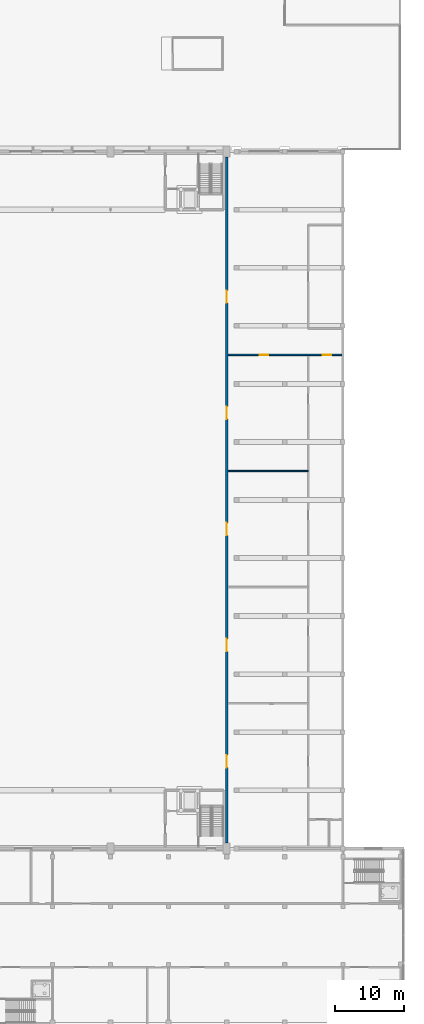
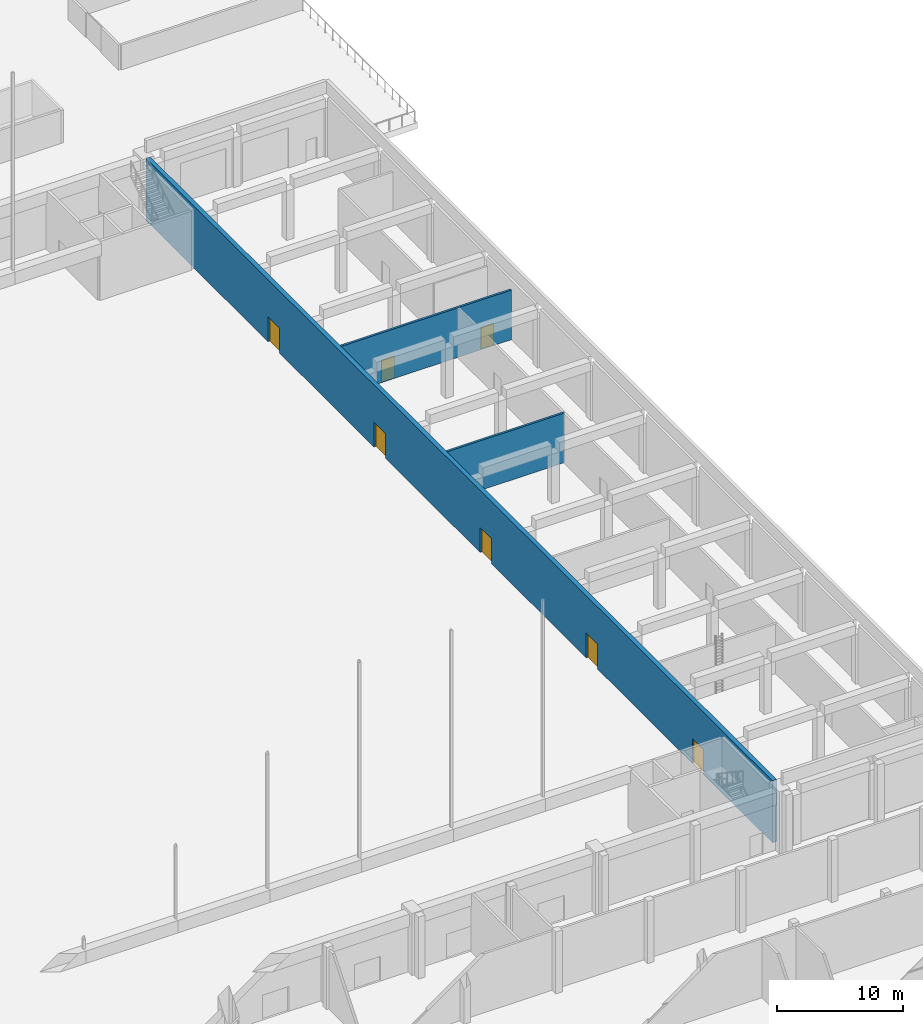
# One storey, part 118 of 210: 7 doors, 3 walls, 7 openings.
"""IFC4 building model written with IfcOpenShell, lengths in metres."""

from ifc_helpers import new_model, si_unit, direction, frame, frame_2d, origin, place, context, subcontext, project, spatial, rectangle, extrude, material, layer, layer_set, type_object, element, fill, save


model = new_model("IFC4")

# Units and contexts
model_context = context("Model", 3, precision=1e-05, world=origin(), true_north=direction((0.0, 1.0)))
body_context = subcontext(model_context, "Body", "Model", "MODEL_VIEW")
ifc_project = project(units=[si_unit("LENGTHUNIT", "METRE"), si_unit("AREAUNIT", "SQUARE_METRE"), si_unit("VOLUMEUNIT", "CUBIC_METRE"), si_unit("PLANEANGLEUNIT", "RADIAN"), si_unit("MASSUNIT", "GRAM", prefix="KILO")], contexts=[model_context])

# Site, building, storey
site_placement = place(None, origin())
site = spatial("IfcSite", under=ifc_project, at=site_placement, CompositionType="ELEMENT")
building_placement = place(site_placement, origin())
building = spatial("IfcBuilding", under=site, at=building_placement, Name="Rain Tree Exposition and Congress Centre", CompositionType="ELEMENT")
storey_placement = place(building_placement, origin())
storey = spatial("IfcBuildingStorey", under=building, at=storey_placement, Name="L00", CompositionType="ELEMENT", Elevation=0.0)

# Wall, openings, doors
ifc_material_1 = material(Name="Precast concrete C50/60", Category="concrete")
ifc_layer_1 = layer(ifc_material_1, 0.39990234375)
ifc_layer_set_1 = layer_set([ifc_layer_1], Name="Precast concrete C50/60")
wall_type_1 = type_object("IfcWallType", Name="Hall gable precast wall 400", PredefinedType="SHEAR", material=ifc_layer_set_1)
wall_1_placement = place(storey_placement, frame((243.60009765625, 101.60009765625, 0.0), z_axis=(0.0, 0.0, 1.0), x_axis=(0.0, 1.0, 0.0)))
wall_1 = element("IfcWall", 1, at=wall_1_placement, inside=storey, type_object=wall_type_1, Name="Gable wall E", PredefinedType="SHEAR", context=body_context, shape_type="SweptSolid", body=[
    extrude(rectangle(XDim=99.199951171875, YDim=0.39990234375, at=frame_2d((49.60009765625, 0.0))), origin(), (0.0, 0.0, 1.0), 6.0),
])
opening_1_placement = place(wall_1_placement, frame((10.89990234375, 0.0, 0.0)))
opening_1 = element("IfcOpeningElement", 2, at=opening_1_placement, cuts=wall_1, Name="Opening DH166", PredefinedType="OPENING", context=body_context, shape_type="SweptSolid", body=[
    extrude(rectangle(XDim=1.800048828125, YDim=2.39990234375, at=frame_2d((0.89990234375, 1.199951171875))), frame((0.0, 0.199951171875, 0.0), z_axis=(0.0, -1.0, 0.0), x_axis=(1.0, 0.0, 0.0)), (0.0, 0.0, 1.0), 0.39990234375),
])
opening_2_placement = place(wall_1_placement, frame((27.699951171875, 0.0, 0.0)))
opening_2 = element("IfcOpeningElement", 3, at=opening_2_placement, cuts=wall_1, Name="Opening DH167", PredefinedType="OPENING", context=body_context, shape_type="SweptSolid", body=[
    extrude(rectangle(XDim=1.800048828125, YDim=2.39990234375, at=frame_2d((0.89990234375, 1.199951171875))), frame((0.0, 0.199951171875, 0.0), z_axis=(0.0, -1.0, 0.0), x_axis=(1.0, 0.0, 0.0)), (0.0, 0.0, 1.0), 0.39990234375),
])
opening_3_placement = place(wall_1_placement, frame((44.5, 0.0, 0.0)))
opening_3 = element("IfcOpeningElement", 4, at=opening_3_placement, cuts=wall_1, Name="Opening DH168", PredefinedType="OPENING", context=body_context, shape_type="SweptSolid", body=[
    extrude(rectangle(XDim=1.800048828125, YDim=2.39990234375, at=frame_2d((0.89990234375, 1.199951171875))), frame((0.0, 0.199951171875, 0.0), z_axis=(0.0, -1.0, 0.0), x_axis=(1.0, 0.0, 0.0)), (0.0, 0.0, 1.0), 0.39990234375),
])
opening_4_placement = place(wall_1_placement, frame((61.300048828125, 0.0, 0.0)))
opening_4 = element("IfcOpeningElement", 5, at=opening_4_placement, cuts=wall_1, Name="Opening DH169", PredefinedType="OPENING", context=body_context, shape_type="SweptSolid", body=[
    extrude(rectangle(XDim=1.800048828125, YDim=2.39990234375, at=frame_2d((0.89990234375, 1.199951171875))), frame((0.0, 0.199951171875, 0.0), z_axis=(0.0, -1.0, 0.0), x_axis=(1.0, 0.0, 0.0)), (0.0, 0.0, 1.0), 0.39990234375),
])
opening_5_placement = place(wall_1_placement, frame((78.10009765625, 0.0, 0.0)))
opening_5 = element("IfcOpeningElement", 6, at=opening_5_placement, cuts=wall_1, Name="Opening DH170", PredefinedType="OPENING", context=body_context, shape_type="SweptSolid", body=[
    extrude(rectangle(XDim=1.800048828125, YDim=2.39990234375, at=frame_2d((0.89990234375, 1.199951171875))), frame((0.0, 0.199951171875, 0.0), z_axis=(0.0, -1.0, 0.0), x_axis=(1.0, 0.0, 0.0)), (0.0, 0.0, 1.0), 0.39990234375),
])
ifc_material_2 = material(Name="Painted steel fire door", Category="steel")
door_type_1 = type_object("IfcDoorType", Name="Store fire door pair 1800x2400", OperationType="DOUBLE_DOOR_SINGLE_SWING", PredefinedType="DOOR", material=ifc_material_2)
door_1_placement = place(opening_1_placement, origin())
door_1 = element("IfcDoor", 7, at=door_1_placement, inside=storey, type_object=door_type_1, Name="Door DH166", OperationType="DOUBLE_DOOR_SINGLE_SWING", OverallHeight=2.39990234375, OverallWidth=1.800048828125, PredefinedType="DOOR", context=body_context, shape_type="SweptSolid", body=[
    extrude(rectangle(XDim=1.800048828125, YDim=2.39990234375, at=frame_2d((0.89990234375, 1.199951171875))), frame((0.0, 0.02490234375, 0.0), z_axis=(0.0, -1.0, 0.0), x_axis=(1.0, 0.0, 0.0)), (0.0, 0.0, 1.0), 0.050048828125),
])
fill(opening_1, door_1)
door_2_placement = place(opening_2_placement, origin())
door_2 = element("IfcDoor", 8, at=door_2_placement, inside=storey, type_object=door_type_1, Name="Door DH167", OperationType="DOUBLE_DOOR_SINGLE_SWING", OverallHeight=2.39990234375, OverallWidth=1.800048828125, PredefinedType="DOOR", context=body_context, shape_type="SweptSolid", body=[
    extrude(rectangle(XDim=1.800048828125, YDim=2.39990234375, at=frame_2d((0.89990234375, 1.199951171875))), frame((0.0, 0.02490234375, 0.0), z_axis=(0.0, -1.0, 0.0), x_axis=(1.0, 0.0, 0.0)), (0.0, 0.0, 1.0), 0.050048828125),
])
fill(opening_2, door_2)
door_3_placement = place(opening_3_placement, origin())
door_3 = element("IfcDoor", 9, at=door_3_placement, inside=storey, type_object=door_type_1, Name="Door DH168", OperationType="DOUBLE_DOOR_SINGLE_SWING", OverallHeight=2.39990234375, OverallWidth=1.800048828125, PredefinedType="DOOR", context=body_context, shape_type="SweptSolid", body=[
    extrude(rectangle(XDim=1.800048828125, YDim=2.39990234375, at=frame_2d((0.89990234375, 1.199951171875))), frame((0.0, 0.02490234375, 0.0), z_axis=(0.0, -1.0, 0.0), x_axis=(1.0, 0.0, 0.0)), (0.0, 0.0, 1.0), 0.050048828125),
])
fill(opening_3, door_3)
door_4_placement = place(opening_4_placement, origin())
door_4 = element("IfcDoor", 10, at=door_4_placement, inside=storey, type_object=door_type_1, Name="Door DH169", OperationType="DOUBLE_DOOR_SINGLE_SWING", OverallHeight=2.39990234375, OverallWidth=1.800048828125, PredefinedType="DOOR", context=body_context, shape_type="SweptSolid", body=[
    extrude(rectangle(XDim=1.800048828125, YDim=2.39990234375, at=frame_2d((0.89990234375, 1.199951171875))), frame((0.0, 0.02490234375, 0.0), z_axis=(0.0, -1.0, 0.0), x_axis=(1.0, 0.0, 0.0)), (0.0, 0.0, 1.0), 0.050048828125),
])
fill(opening_4, door_4)
door_5_placement = place(opening_5_placement, origin())
door_5 = element("IfcDoor", 11, at=door_5_placement, inside=storey, type_object=door_type_1, Name="Door DH170", OperationType="DOUBLE_DOOR_SINGLE_SWING", OverallHeight=2.39990234375, OverallWidth=1.800048828125, PredefinedType="DOOR", context=body_context, shape_type="SweptSolid", body=[
    extrude(rectangle(XDim=1.800048828125, YDim=2.39990234375, at=frame_2d((0.89990234375, 1.199951171875))), frame((0.0, 0.02490234375, 0.0), z_axis=(0.0, -1.0, 0.0), x_axis=(1.0, 0.0, 0.0)), (0.0, 0.0, 1.0), 0.050048828125),
])
fill(opening_5, door_5)

# Wall
ifc_material_3 = material(Name="Concrete C40/50", Category="concrete")
ifc_layer_2 = layer(ifc_material_3, 0.199951171875)
ifc_layer_set_2 = layer_set([ifc_layer_2], Name="Concrete C40/50")
wall_type_2 = type_object("IfcWallType", Name="Service partition wall 200", PredefinedType="PARTITIONING", material=ifc_layer_set_2)
wall_2_placement = place(storey_placement, frame((243.800048828125, 155.39990234375, 0.0), z_axis=(0.0, 0.0, 1.0), x_axis=(1.0, 0.0, 0.0)))
element("IfcWall", 12, at=wall_2_placement, inside=storey, type_object=wall_type_2, Name="Service room wall", PredefinedType="PARTITIONING", context=body_context, shape_type="SweptSolid", body=[
    extrude(rectangle(XDim=11.599853515625, YDim=0.199951171875, at=frame_2d((5.7998046875, 0.0))), origin(), (0.0, 0.0, 1.0), 4.800048828125),
])

# Wall, openings, doors
wall_3_placement = place(storey_placement, frame((243.800048828125, 172.199951171875, 0.0), z_axis=(0.0, 0.0, 1.0), x_axis=(1.0, 0.0, 0.0)))
wall_3 = element("IfcWall", 13, at=wall_3_placement, inside=storey, type_object=wall_type_2, Name="Service room wall", PredefinedType="PARTITIONING", context=body_context, shape_type="SweptSolid", body=[
    extrude(rectangle(XDim=16.449951171875, YDim=0.199951171875, at=frame_2d((8.22509765625, 0.0))), origin(), (0.0, 0.0, 1.0), 4.800048828125),
])
opening_6_placement = place(wall_3_placement, frame((13.699951171875, 0.0, 0.0)))
opening_6 = element("IfcOpeningElement", 14, at=opening_6_placement, cuts=wall_3, Name="Opening DH259", PredefinedType="OPENING", context=body_context, shape_type="SweptSolid", body=[
    extrude(rectangle(XDim=1.199951171875, YDim=2.10009765625, at=frame_2d((0.60009765625, 1.050048828125))), frame((0.0, 0.10009765625, 0.0), z_axis=(0.0, -1.0, 0.0), x_axis=(1.0, 0.0, 0.0)), (0.0, 0.0, 1.0), 0.199951171875),
])
opening_7_placement = place(wall_3_placement, frame((4.60009765625, 0.0, 0.0)))
opening_7 = element("IfcOpeningElement", 15, at=opening_7_placement, cuts=wall_3, Name="Opening DH260", PredefinedType="OPENING", context=body_context, shape_type="SweptSolid", body=[
    extrude(rectangle(XDim=1.199951171875, YDim=2.10009765625, at=frame_2d((0.60009765625, 1.050048828125))), frame((0.0, 0.10009765625, 0.0), z_axis=(0.0, -1.0, 0.0), x_axis=(1.0, 0.0, 0.0)), (0.0, 0.0, 1.0), 0.199951171875),
])
ifc_material_4 = material(Name="Painted steel door", Category="steel")
door_type_2 = type_object("IfcDoorType", Name="Single leaf door 1200x2100", OperationType="NOTDEFINED", PredefinedType="DOOR", material=ifc_material_4)
door_6_placement = place(opening_6_placement, origin())
door_6 = element("IfcDoor", 16, at=door_6_placement, inside=storey, type_object=door_type_2, Name="Door DH259", OperationType="SINGLE_SWING_RIGHT", OverallHeight=2.10009765625, OverallWidth=1.199951171875, PredefinedType="DOOR", context=body_context, shape_type="SweptSolid", body=[
    extrude(rectangle(XDim=1.199951171875, YDim=2.10009765625, at=frame_2d((0.60009765625, 1.050048828125))), frame((0.0, 0.02490234375, 0.0), z_axis=(0.0, -1.0, 0.0), x_axis=(1.0, 0.0, 0.0)), (0.0, 0.0, 1.0), 0.050048828125),
])
fill(opening_6, door_6)
door_7_placement = place(opening_7_placement, origin())
door_7 = element("IfcDoor", 17, at=door_7_placement, inside=storey, type_object=door_type_2, Name="Door DH260", OperationType="SINGLE_SWING_LEFT", OverallHeight=2.10009765625, OverallWidth=1.199951171875, PredefinedType="DOOR", context=body_context, shape_type="SweptSolid", body=[
    extrude(rectangle(XDim=1.199951171875, YDim=2.10009765625, at=frame_2d((0.60009765625, 1.050048828125))), frame((0.0, 0.02490234375, 0.0), z_axis=(0.0, -1.0, 0.0), x_axis=(1.0, 0.0, 0.0)), (0.0, 0.0, 1.0), 0.050048828125),
])
fill(opening_7, door_7)

save(model, "model.ifc")
